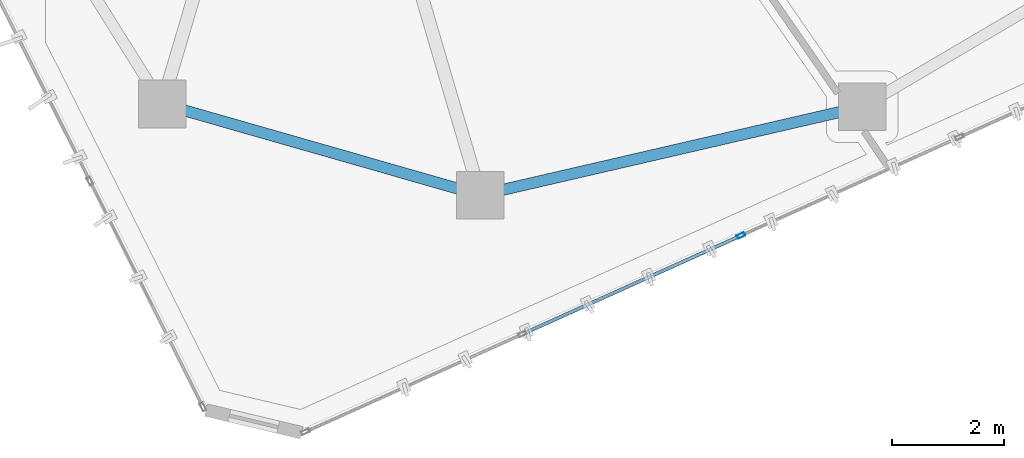
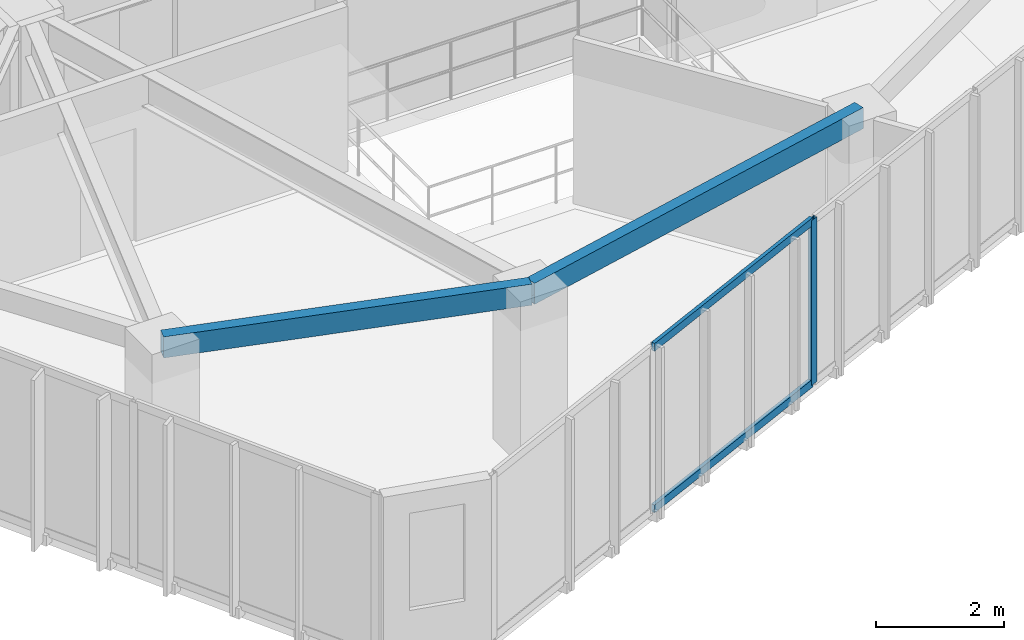
# One storey, part 3 of 21: 3 members, 2 beams, 1 element without a shape of its own.
"""IFC4 building model written with IfcOpenShell, lengths in metres."""

from ifc_helpers import new_model, si_unit, direction, frame, origin, origin_2d, place, context, subcontext, project, spatial, hollow_rectangle, extrude, source, transform, mapped, material, layer, layer_set, material_profile, profile_set, type_object, type_shapes, element, aggregate, save


model = new_model("IFC4")

# Units and contexts
model_context = context("Model", 3, precision=1e-05, world=origin(), true_north=direction((0.0, 1.0)))
body_context = subcontext(model_context, "Body", "Model", "MODEL_VIEW")
ifc_project = project(units=[si_unit("LENGTHUNIT", "METRE"), si_unit("AREAUNIT", "SQUARE_METRE"), si_unit("VOLUMEUNIT", "CUBIC_METRE"), si_unit("PLANEANGLEUNIT", "RADIAN"), si_unit("MASSUNIT", "GRAM", prefix="KILO")], contexts=[model_context])

# Site, building, storey
site_placement = place(None, origin())
site = spatial("IfcSite", under=ifc_project, at=site_placement, CompositionType="ELEMENT")
building_placement = place(site_placement, origin())
building = spatial("IfcBuilding", under=site, at=building_placement, Name="Talar Marvaseh", CompositionType="ELEMENT")
storey_placement = place(building_placement, frame((0.0, 0.0, 271.39990234375)))
storey = spatial("IfcBuildingStorey", under=building, at=storey_placement, Name="L72", CompositionType="ELEMENT", Elevation=271.39990234375)

# Beams
ifc_material_1 = material(Name="Steel S355", Category="steel")
ifc_material_profile_1 = material_profile(ifc_material_1, hollow_rectangle(XDim=0.199951171875, YDim=0.39990234375, WallThickness=0.013916015625, at=origin_2d()), Name="RHS400x200x14")
ifc_profile_set_1 = profile_set([ifc_material_profile_1], Name="Steel S355")
beam_type = type_object("IfcBeamType", Name="Zone 3 Perimeter Spandrel Beam RHS400x200x14", PredefinedType="SPANDREL", material=ifc_profile_set_1)
beam_1_placement = place(storey_placement, frame((28.60498046875, 16.616943359375, 2.940185546875), z_axis=(-0.974361245946, -0.22498924952, 0.0), x_axis=(0.22498924952, -0.974361245946, 0.0)))
element("IfcBeam", 1, at=beam_1_placement, inside=storey, type_object=beam_type, Name="L72 Zone 3 Perimeter Spandrel Beam RHS400x200x14", PredefinedType="SPANDREL", context=body_context, shape_type="SweptSolid", body=[
    extrude(hollow_rectangle(XDim=0.199951171875, YDim=0.39990234375, WallThickness=0.013916015625, at=origin_2d()), origin(), (0.0, 0.0, 1.0), 7.0087890625),
])
beam_2_placement = place(storey_placement, frame((21.77587890625, 15.0400390625, 2.940185546875), z_axis=(-0.961411768303, 0.275113452538, 0.0), x_axis=(-0.275113452538, -0.961411768303, 0.0)))
element("IfcBeam", 2, at=beam_2_placement, inside=storey, type_object=beam_type, Name="L72 Zone 3 Perimeter Spandrel Beam RHS400x200x14", PredefinedType="SPANDREL", context=body_context, shape_type="SweptSolid", body=[
    extrude(hollow_rectangle(XDim=0.199951171875, YDim=0.39990234375, WallThickness=0.013916015625, at=origin_2d()), origin(), (0.0, 0.0, 1.0), 5.917236328125),
])

# Curtain wall, members
ifc_material_2 = material(Name="Architectural Aluminium", Category="aluminium")
ifc_layer = layer(ifc_material_2, 0.179931640625)
ifc_layer_set = layer_set([ifc_layer], Name="Architectural Aluminium")
curtain_wall_type = type_object("IfcCurtainWallType", Name="Unitised High-Wind Sky Curtain Wall Z4", PredefinedType="NOTDEFINED", material=ifc_layer_set)
curtain_wall_placement = place(storey_placement, origin())
curtain_wall = element("IfcCurtainWall", 3, at=curtain_wall_placement, inside=storey, type_object=curtain_wall_type, Name="L72 Unitised High-Wind Sky Curtain Wall Z4", PredefinedType="NOTDEFINED")
ifc_material_profile_2 = material_profile(ifc_material_2, hollow_rectangle(XDim=0.06494140625, YDim=0.14990234375, WallThickness=0.00390625, at=origin_2d()), Name="RHS150x65x4")
ifc_profile_set_2 = profile_set([ifc_material_profile_2], Name="Architectural Aluminium")
member_type_1 = type_object("IfcMemberType", Name="Unitised Curtain Wall Slim Transom RHS150x65x4", PredefinedType="USERDEFINED", material=ifc_profile_set_2)
shared_shape_1 = source(origin(), body_context, "Body", "SweptSolid", [
    extrude(hollow_rectangle(XDim=0.06494140625, YDim=0.14990234375, WallThickness=0.00390625, at=origin_2d()), origin(), (0.0, 0.0, 1.0), 4.221435546875),
])
type_shapes(member_type_1, [shared_shape_1])
member_1_placement = place(storey_placement, frame((26.40673828125, 14.302001953125, 0.03271484375), z_axis=(-0.911700616763, -0.410855187864, 0.0), x_axis=(0.410855187864, -0.911700616763, 0.0)))
member_1 = element("IfcMember", 4, at=member_1_placement, type_object=member_type_1, Name="CW-Z4 transom 3.1", ObjectType="TRANSOM", PredefinedType="USERDEFINED", context=body_context, shape_type="MappedRepresentation", body=[
    mapped(shared_shape_1, transform((0.0, 0.0, 0.0), x_axis=(1.0, 0.0, 0.0), y_axis=(0.0, 1.0, 0.0), z_axis=(0.0, 0.0, 1.0), scale=1.0)),
])
member_2_placement = place(storey_placement, frame((26.40673828125, 14.302001953125, 3.107666015625), z_axis=(-0.911700616763, -0.410855187864, 0.0), x_axis=(0.410855187864, -0.911700616763, 0.0)))
member_2 = element("IfcMember", 5, at=member_2_placement, type_object=member_type_1, Name="CW-Z4 transom 3.2", ObjectType="TRANSOM", PredefinedType="USERDEFINED", context=body_context, shape_type="MappedRepresentation", body=[
    mapped(shared_shape_1, transform((0.0, 0.0, 0.0), x_axis=(1.0, 0.0, 0.0), y_axis=(0.0, 1.0, 0.0), z_axis=(0.0, 0.0, 1.0), scale=1.0)),
])
ifc_material_profile_3 = material_profile(ifc_material_2, hollow_rectangle(XDim=0.06494140625, YDim=0.14990234375, WallThickness=0.00390625, at=origin_2d()), Name="RHS150x65x4")
ifc_profile_set_3 = profile_set([ifc_material_profile_3], Name="Architectural Aluminium")
member_type_2 = type_object("IfcMemberType", Name="Unitised Curtain Wall Slim Mullion RHS150x65x4", PredefinedType="MULLION", material=ifc_profile_set_3)
shared_shape_2 = source(origin(), body_context, "Body", "SweptSolid", [
    extrude(hollow_rectangle(XDim=0.06494140625, YDim=0.14990234375, WallThickness=0.00390625, at=origin_2d()), origin(), (0.0, 0.0, 1.0), 3.14013671875),
])
type_shapes(member_type_2, [shared_shape_2])
member_3_placement = place(storey_placement, frame((26.436279296875, 14.315185546875, 0.0), z_axis=(0.0, 0.0, 1.0), x_axis=(0.410859599187, -0.9116986288, 0.0)))
member_3 = element("IfcMember", 6, at=member_3_placement, type_object=member_type_2, Name="CW-Z4 mullion 3", PredefinedType="MULLION", context=body_context, shape_type="MappedRepresentation", body=[
    mapped(shared_shape_2, transform((0.0, 0.0, 0.0), x_axis=(1.0, 0.0, 0.0), y_axis=(0.0, 1.0, 0.0), z_axis=(0.0, 0.0, 1.0), scale=1.0)),
])
aggregate(curtain_wall, [member_3, member_1, member_2])

save(model, "model.ifc")
